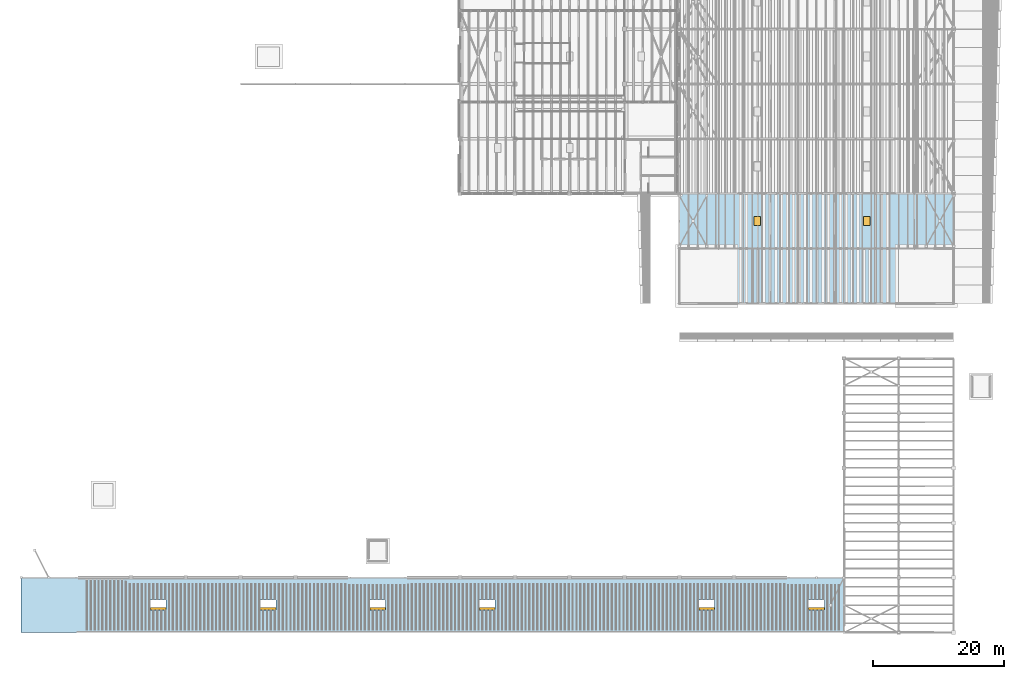
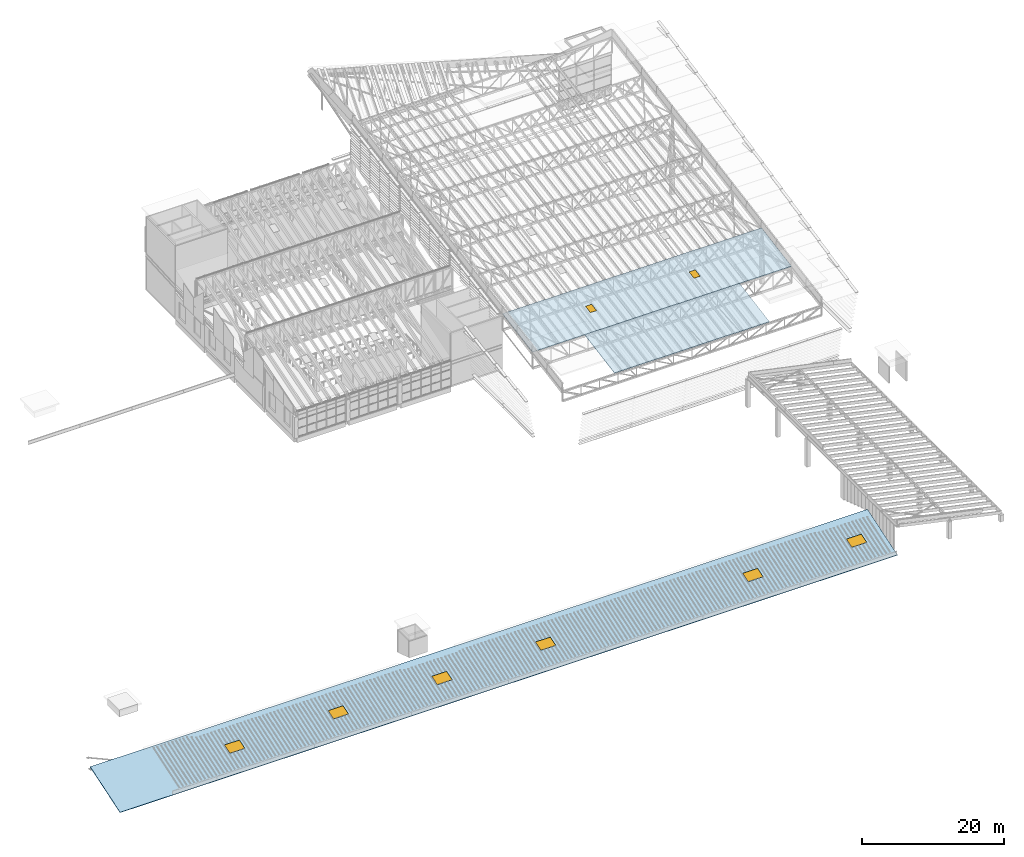
# One storey, part 58 of 91: 8 windows, 3 slabs, 8 openings.
"""IFC4 building model written with IfcOpenShell, lengths in metres."""

from ifc_helpers import new_model, si_unit, direction, frame, origin, origin_2d, place, context, subcontext, project, spatial, polyline, rectangle, outline, extrude, material, layer, layer_set, type_object, element, fill, save


model = new_model("IFC4")

# Units and contexts
model_context = context("Model", 3, precision=1e-05, world=origin(), true_north=direction((0.0, 1.0)))
body_context = subcontext(model_context, "Body", "Model", "MODEL_VIEW")
ifc_project = project(units=[si_unit("LENGTHUNIT", "METRE"), si_unit("AREAUNIT", "SQUARE_METRE"), si_unit("VOLUMEUNIT", "CUBIC_METRE"), si_unit("PLANEANGLEUNIT", "RADIAN"), si_unit("MASSUNIT", "GRAM", prefix="KILO")], contexts=[model_context])

# Site, building, storey
site_placement = place(None, origin())
site = spatial("IfcSite", under=ifc_project, at=site_placement, CompositionType="ELEMENT")
building_placement = place(site_placement, origin())
building = spatial("IfcBuilding", under=site, at=building_placement, Name="Almond Square Museum", CompositionType="ELEMENT")
storey_placement = place(building_placement, frame((0.0, 0.0, 30.0)))
storey = spatial("IfcBuildingStorey", under=building, at=storey_placement, Name="L05", CompositionType="ELEMENT", Elevation=30.0)

# Slab, openings, windows
ifc_material_1 = material(Name="Steel S355 deck with zinc standing seam", Category="steel")
ifc_layer_1 = layer(ifc_material_1, 0.10009765625)
ifc_layer_set_1 = layer_set([ifc_layer_1], Name="Steel S355 deck with zinc standing seam")
slab_type_1 = type_object("IfcSlabType", Name="Steel deck standing seam roof 100", PredefinedType="ROOF", material=ifc_layer_set_1)
slab_1_placement = place(storey_placement, frame((6.0, 0.0, 0.0), z_axis=(0.0, -0.309012317167, 0.951058036), x_axis=(1.0, 0.0, 0.0)))
slab_1 = element("IfcSlab", 1, at=slab_1_placement, inside=storey, type_object=slab_type_1, Name="Roof covering RF-V5S-S", PredefinedType="ROOF", context=body_context, shape_type="SweptSolid", body=[
    extrude(outline(polyline([(0.0, 0.0), (126.0, 0.0), (126.0, 8.832165888722185), (0.0, 8.832165888722185), (0.0, 0.0)])), origin(), (0.0, 0.0, -1.0), 0.10009765625),
])
opening_1_placement = place(slab_1_placement, frame((21.0, 4.416015625, 0.010009765625), z_axis=(0.0, 0.0, -1.0), x_axis=(1.0, 0.0, 0.0)))
opening_1 = element("IfcOpeningElement", 2, at=opening_1_placement, cuts=slab_1, Name="Opening RL18", PredefinedType="OPENING", context=body_context, shape_type="SweptSolid", body=[
    extrude(rectangle(XDim=2.39990234375, YDim=1.60009765625, at=origin_2d()), origin(), (0.0, 0.0, 1.0), 0.1201171875),
])
opening_2_placement = place(slab_1_placement, frame((37.800048828125, 4.416015625, 0.010009765625), z_axis=(0.0, 0.0, -1.0), x_axis=(1.0, 0.0, 0.0)))
opening_2 = element("IfcOpeningElement", 3, at=opening_2_placement, cuts=slab_1, Name="Opening RL19", PredefinedType="OPENING", context=body_context, shape_type="SweptSolid", body=[
    extrude(rectangle(XDim=2.39990234375, YDim=1.60009765625, at=origin_2d()), origin(), (0.0, 0.0, 1.0), 0.1201171875),
])
opening_3_placement = place(slab_1_placement, frame((54.60009765625, 4.416015625, 0.010009765625), z_axis=(0.0, 0.0, -1.0), x_axis=(1.0, 0.0, 0.0)))
opening_3 = element("IfcOpeningElement", 4, at=opening_3_placement, cuts=slab_1, Name="Opening RL20", PredefinedType="OPENING", context=body_context, shape_type="SweptSolid", body=[
    extrude(rectangle(XDim=2.39990234375, YDim=1.60009765625, at=origin_2d()), origin(), (0.0, 0.0, 1.0), 0.1201171875),
])
opening_4_placement = place(slab_1_placement, frame((71.39990234375, 4.416015625, 0.010009765625), z_axis=(0.0, 0.0, -1.0), x_axis=(1.0, 0.0, 0.0)))
opening_4 = element("IfcOpeningElement", 5, at=opening_4_placement, cuts=slab_1, Name="Opening RL21", PredefinedType="OPENING", context=body_context, shape_type="SweptSolid", body=[
    extrude(rectangle(XDim=2.39990234375, YDim=1.60009765625, at=origin_2d()), origin(), (0.0, 0.0, 1.0), 0.1201171875),
])
opening_5_placement = place(slab_1_placement, frame((105.0, 4.416015625, 0.010009765625), z_axis=(0.0, 0.0, -1.0), x_axis=(1.0, 0.0, 0.0)))
opening_5 = element("IfcOpeningElement", 6, at=opening_5_placement, cuts=slab_1, Name="Opening RL22", PredefinedType="OPENING", context=body_context, shape_type="SweptSolid", body=[
    extrude(rectangle(XDim=2.39990234375, YDim=1.60009765625, at=origin_2d()), origin(), (0.0, 0.0, 1.0), 0.1201171875),
])
opening_6_placement = place(slab_1_placement, frame((121.800048828125, 4.416015625, 0.010009765625), z_axis=(0.0, 0.0, -1.0), x_axis=(1.0, 0.0, 0.0)))
opening_6 = element("IfcOpeningElement", 7, at=opening_6_placement, cuts=slab_1, Name="Opening RL23", PredefinedType="OPENING", context=body_context, shape_type="SweptSolid", body=[
    extrude(rectangle(XDim=2.39990234375, YDim=1.60009765625, at=origin_2d()), origin(), (0.0, 0.0, 1.0), 0.1201171875),
])
ifc_material_2 = material(Name="Aluminium frame and laminated glass", Category="aluminium")
window_type_1 = type_object("IfcWindowType", Name="Roof lantern light 2400 x 1600", PartitioningType="SINGLE_PANEL", PredefinedType="SKYLIGHT", material=ifc_material_2)
window_1_placement = place(opening_1_placement, frame((0.0, 0.0, 0.010009765625)))
window_1 = element("IfcWindow", 8, at=window_1_placement, inside=storey, type_object=window_type_1, Name="Rooflight", OverallHeight=1.60009765625, OverallWidth=2.39990234375, PartitioningType="SINGLE_PANEL", PredefinedType="SKYLIGHT", context=body_context, shape_type="SweptSolid", body=[
    extrude(rectangle(XDim=2.39990234375, YDim=1.60009765625, at=origin_2d()), origin(), (0.0, 0.0, 1.0), 0.050048828125),
])
fill(opening_1, window_1)
window_2_placement = place(opening_2_placement, frame((0.0, 0.0, 0.010009765625)))
window_2 = element("IfcWindow", 9, at=window_2_placement, inside=storey, type_object=window_type_1, Name="Rooflight", OverallHeight=1.60009765625, OverallWidth=2.39990234375, PartitioningType="SINGLE_PANEL", PredefinedType="SKYLIGHT", context=body_context, shape_type="SweptSolid", body=[
    extrude(rectangle(XDim=2.39990234375, YDim=1.60009765625, at=origin_2d()), origin(), (0.0, 0.0, 1.0), 0.050048828125),
])
fill(opening_2, window_2)
window_3_placement = place(opening_3_placement, frame((0.0, 0.0, 0.010009765625)))
window_3 = element("IfcWindow", 10, at=window_3_placement, inside=storey, type_object=window_type_1, Name="Rooflight", OverallHeight=1.60009765625, OverallWidth=2.39990234375, PartitioningType="SINGLE_PANEL", PredefinedType="SKYLIGHT", context=body_context, shape_type="SweptSolid", body=[
    extrude(rectangle(XDim=2.39990234375, YDim=1.60009765625, at=origin_2d()), origin(), (0.0, 0.0, 1.0), 0.050048828125),
])
fill(opening_3, window_3)
window_4_placement = place(opening_4_placement, frame((0.0, 0.0, 0.010009765625)))
window_4 = element("IfcWindow", 11, at=window_4_placement, inside=storey, type_object=window_type_1, Name="Rooflight", OverallHeight=1.60009765625, OverallWidth=2.39990234375, PartitioningType="SINGLE_PANEL", PredefinedType="SKYLIGHT", context=body_context, shape_type="SweptSolid", body=[
    extrude(rectangle(XDim=2.39990234375, YDim=1.60009765625, at=origin_2d()), origin(), (0.0, 0.0, 1.0), 0.050048828125),
])
fill(opening_4, window_4)
window_5_placement = place(opening_5_placement, frame((0.0, 0.0, 0.010009765625)))
window_5 = element("IfcWindow", 12, at=window_5_placement, inside=storey, type_object=window_type_1, Name="Rooflight", OverallHeight=1.60009765625, OverallWidth=2.39990234375, PartitioningType="SINGLE_PANEL", PredefinedType="SKYLIGHT", context=body_context, shape_type="SweptSolid", body=[
    extrude(rectangle(XDim=2.39990234375, YDim=1.60009765625, at=origin_2d()), origin(), (0.0, 0.0, 1.0), 0.050048828125),
])
fill(opening_5, window_5)
window_6_placement = place(opening_6_placement, frame((0.0, 0.0, 0.010009765625)))
window_6 = element("IfcWindow", 13, at=window_6_placement, inside=storey, type_object=window_type_1, Name="Rooflight", OverallHeight=1.60009765625, OverallWidth=2.39990234375, PartitioningType="SINGLE_PANEL", PredefinedType="SKYLIGHT", context=body_context, shape_type="SweptSolid", body=[
    extrude(rectangle(XDim=2.39990234375, YDim=1.60009765625, at=origin_2d()), origin(), (0.0, 0.0, 1.0), 0.050048828125),
])
fill(opening_6, window_6)

# Slab
ifc_material_3 = material(Name="Timber deck and zinc standing seam", Category="wood")
ifc_layer_2 = layer(ifc_material_3, 0.10009765625)
ifc_layer_set_2 = layer_set([ifc_layer_2], Name="Timber deck and zinc standing seam")
slab_type_2 = type_object("IfcSlabType", Name="Timber deck and zinc standing seam roof 100", PredefinedType="ROOF", material=ifc_layer_set_2)
slab_2_placement = place(storey_placement, frame((115.25, 50.39990234375, 6.5), z_axis=(0.0, -0.172374081674, 0.985031560899), x_axis=(0.0, 0.985031560899, 0.172374081674)))
element("IfcSlab", 14, at=slab_2_placement, inside=storey, type_object=slab_type_2, Name="Roof covering HR1", PredefinedType="ROOF", context=body_context, shape_type="SweptSolid", body=[
    extrude(outline(polyline([(0.0, 0.0), (8.52779425332269, 0.0), (8.52779425332269, -25.100097656249996), (0.0, -25.100097656249996), (0.0, 0.0)])), origin(), (0.0, 0.0, -1.0), 0.10009765625),
])

# Slab, openings, windows
slab_3_placement = place(storey_placement, frame((106.800048828125, 58.800048828125, 7.969970703125), z_axis=(0.0, -0.172378942807, 0.98503071022), x_axis=(1.0, 0.0, 0.0)))
slab_3 = element("IfcSlab", 15, at=slab_3_placement, inside=storey, type_object=slab_type_2, Name="Roof covering HR2", PredefinedType="ROOF", context=body_context, shape_type="SweptSolid", body=[
    extrude(outline(polyline([(0.0, 0.0), (42.0, 0.0), (42.0, 8.527553767205609), (0.0, 8.527553767205609), (0.0, 0.0)])), origin(), (0.0, 0.0, -1.0), 0.10009765625),
])
opening_7_placement = place(slab_3_placement, frame((11.89990234375, 4.263671875, 0.010009765625), z_axis=(0.0, 0.0, -1.0), x_axis=(1.0, 0.0, 0.0)))
opening_7 = element("IfcOpeningElement", 16, at=opening_7_placement, cuts=slab_3, Name="Opening RL01", PredefinedType="OPENING", context=body_context, shape_type="SweptSolid", body=[
    extrude(rectangle(XDim=1.0, YDim=1.39990234375, at=origin_2d()), origin(), (0.0, 0.0, 1.0), 0.1201171875),
])
opening_8_placement = place(slab_3_placement, frame((28.699951171875, 4.263671875, 0.010009765625), z_axis=(0.0, 0.0, -1.0), x_axis=(1.0, 0.0, 0.0)))
opening_8 = element("IfcOpeningElement", 17, at=opening_8_placement, cuts=slab_3, Name="Opening RL02", PredefinedType="OPENING", context=body_context, shape_type="SweptSolid", body=[
    extrude(rectangle(XDim=1.0, YDim=1.39990234375, at=origin_2d()), origin(), (0.0, 0.0, 1.0), 0.1201171875),
])
ifc_material_4 = material(Name="Aluminium frame and laminated glass", Category="aluminium")
window_type_2 = type_object("IfcWindowType", Name="Rooflight 1000 x 1400", PartitioningType="SINGLE_PANEL", PredefinedType="SKYLIGHT", material=ifc_material_4)
window_7_placement = place(opening_7_placement, frame((0.0, 0.0, 0.010009765625)))
window_7 = element("IfcWindow", 18, at=window_7_placement, inside=storey, type_object=window_type_2, Name="Rooflight", OverallHeight=1.39990234375, OverallWidth=1.0, PartitioningType="SINGLE_PANEL", PredefinedType="SKYLIGHT", context=body_context, shape_type="SweptSolid", body=[
    extrude(rectangle(XDim=1.0, YDim=1.39990234375, at=origin_2d()), origin(), (0.0, 0.0, 1.0), 0.050048828125),
])
fill(opening_7, window_7)
window_8_placement = place(opening_8_placement, frame((0.0, 0.0, 0.010009765625)))
window_8 = element("IfcWindow", 19, at=window_8_placement, inside=storey, type_object=window_type_2, Name="Rooflight", OverallHeight=1.39990234375, OverallWidth=1.0, PartitioningType="SINGLE_PANEL", PredefinedType="SKYLIGHT", context=body_context, shape_type="SweptSolid", body=[
    extrude(rectangle(XDim=1.0, YDim=1.39990234375, at=origin_2d()), origin(), (0.0, 0.0, 1.0), 0.050048828125),
])
fill(opening_8, window_8)

save(model, "model.ifc")
